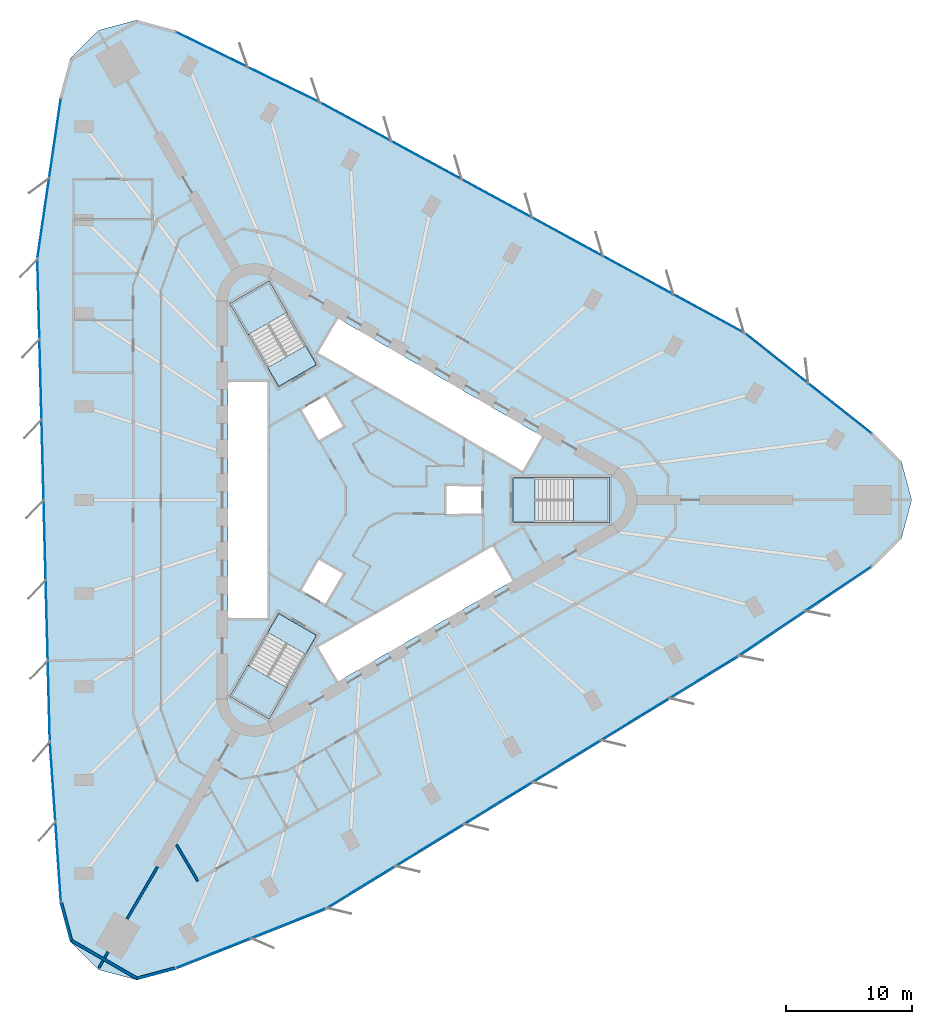
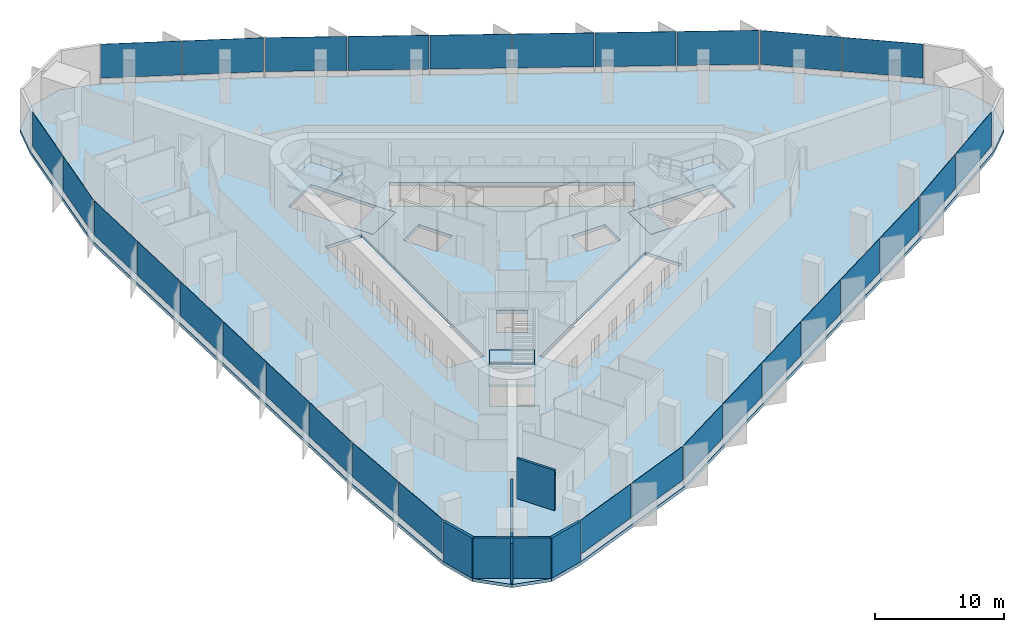
# One storey, part 7 of 14: 30 plates, 7 slabs, 7 walls, 12 elements without a shape of their own.
"""IFC4 building model written with IfcOpenShell, lengths in metres."""

from ifc_helpers import new_model, si_unit, direction, frame, frame_2d, origin, origin_2d, place, context, subcontext, project, spatial, polyline, rectangle, outline, extrude, material, layer, layer_set, type_object, element, aggregate, save


model = new_model("IFC4")

# Units and contexts
model_context = context("Model", 3, precision=1e-05, world=origin(), true_north=direction((0.0, 1.0)))
body_context = subcontext(model_context, "Body", "Model", "MODEL_VIEW")
ifc_project = project(units=[si_unit("LENGTHUNIT", "METRE"), si_unit("AREAUNIT", "SQUARE_METRE"), si_unit("VOLUMEUNIT", "CUBIC_METRE"), si_unit("PLANEANGLEUNIT", "RADIAN"), si_unit("MASSUNIT", "GRAM", prefix="KILO")], contexts=[model_context])

# Site, building, storey
site_placement = place(None, origin())
site = spatial("IfcSite", under=ifc_project, at=site_placement, CompositionType="ELEMENT")
building_placement = place(site_placement, origin())
building = spatial("IfcBuilding", under=site, at=building_placement, Name="Tanit Gate Tower", CompositionType="ELEMENT")
storey_placement = place(building_placement, frame((0.0, 0.0, 148.0)))
storey = spatial("IfcBuildingStorey", under=building, at=storey_placement, Name="L32", CompositionType="ELEMENT", Elevation=148.0)

# Slab
ifc_material_1 = material(Name="Concrete C35/45", Category="concrete")
ifc_layer_1 = layer(ifc_material_1, 0.300048828125)
ifc_layer_set_1 = layer_set([ifc_layer_1], Name="FLOOR SLAB 300 C35/45")
slab_type_1 = type_object("IfcSlabType", Name="FLOOR SLAB 300 C35/45", PredefinedType="FLOOR", material=ifc_layer_set_1)
slab_1_placement = place(storey_placement, frame((0.0, 0.0, -0.300048828125)))
element("IfcSlab", 1, at=slab_1_placement, inside=storey, type_object=slab_type_1, Name="FLOOR SLAB L32", PredefinedType="FLOOR", context=body_context, shape_type="SweptSolid", body=[
    extrude(outline(polyline([(39.86279296875, 5.312744140625), (42.1083984375, 3.0673828125), (42.93017578125, 0.0), (42.1083984375, -3.0673828125), (39.86279296875, -5.312744140625), (29.263916015625, -12.447509765625), (-3.356201171875, -32.425537109375), (-15.330322265625, -37.1787109375), (-18.397705078125, -38.00048828125), (-21.465087890625, -37.1787109375), (-23.71044921875, -34.93310546875), (-24.532470703125, -31.86572265625), (-25.41162109375, -19.119384765625), (-26.4033203125, 19.119384765625), (-24.532470703125, 31.86572265625), (-23.71044921875, 34.93310546875), (-21.465087890625, 37.1787109375), (-18.397705078125, 38.00048828125), (-15.330322265625, 37.1787109375), (-3.85205078125, 31.56689453125), (29.759521484375, 13.30615234375), (39.86279296875, 5.312744140625)]), holes=[polyline([(11.3701171875, 1.72998046875), (18.929931640625, 1.72998046875), (18.929931640625, -1.72998046875), (11.3701171875, -1.72998046875), (11.3701171875, 1.72998046875)]), polyline([(-4.208984375, 11.60986328125), (-2.583984375, 14.424560546875), (13.783935546875, 4.974609375), (12.158935546875, 2.159912109375), (-4.208984375, 11.60986328125)]), polyline([(-4.208984375, -11.60986328125), (9.82080078125, -3.510009765625), (11.44580078125, -6.324462890625), (-2.583984375, -14.424560546875), (-4.208984375, -11.60986328125)]), polyline([(9.0, 1.199951171875), (9.0, -1.199951171875), (6.0, -1.199951171875), (6.0, 1.199951171875), (9.0, 1.199951171875)]), polyline([(-5.539306640625, 7.194091796875), (-3.460693359375, 8.394287109375), (-1.960693359375, 5.796142578125), (-4.039306640625, 4.59619140625), (-5.539306640625, 7.194091796875)]), polyline([(-1.960693359375, -5.796142578125), (-3.460693359375, -8.394287109375), (-5.539306640625, -7.194091796875), (-4.039306640625, -4.59619140625), (-1.960693359375, -5.796142578125)]), polyline([(-10.963134765625, 15.52880859375), (-7.966796875, 17.2587890625), (-4.186767578125, 10.711669921875), (-7.18310546875, 8.981689453125), (-10.963134765625, 15.52880859375)]), polyline([(-4.186767578125, -10.711669921875), (-7.966796875, -17.2587890625), (-10.963134765625, -15.52880859375), (-7.18310546875, -8.981689453125), (-4.186767578125, -10.711669921875)]), polyline([(-11.199951171875, -9.449951171875), (-11.199951171875, 9.449951171875), (-7.949951171875, 9.449951171875), (-7.949951171875, -9.449951171875), (-11.199951171875, -9.449951171875)])]), origin(), (0.0, 0.0, 1.0), 0.300048828125),
])

# Curtain wall, plates
ifc_material_2 = material(Name="Aluminium bronze anodised and glass", Category="aluminium")
curtain_wall_type = type_object("IfcCurtainWallType", Name="Curtain wall typical low", PredefinedType="NOTDEFINED", material=ifc_material_2)
curtain_wall_1_placement = place(storey_placement, origin())
curtain_wall_1 = element("IfcCurtainWall", 2, at=curtain_wall_1_placement, inside=storey, type_object=curtain_wall_type, Name="Curtain wall L32 NE1", PredefinedType="NOTDEFINED")
ifc_material_3 = material(Name="Glass tinted", Category="glass")
ifc_layer_2 = layer(ifc_material_3, 0.031982421875)
ifc_layer_set_2 = layer_set([ifc_layer_2], Name="Glass panel 32 typical low")
plate_type = type_object("IfcPlateType", Name="Glass panel 32 typical low", PredefinedType="CURTAIN_PANEL", material=ifc_layer_set_2)
plate_1_placement = place(storey_placement, frame((37.244873046875, 7.231201171875, 0.60009765625), z_axis=(0.0, 0.0, 1.0), x_axis=(-0.784236570072, 0.620461926441, 0.0)))
plate_1 = element("IfcPlate", 3, at=plate_1_placement, type_object=plate_type, Name="Glass panel L32 NE1.1", PredefinedType="CURTAIN_PANEL", context=body_context, shape_type="SweptSolid", body=[
    extrude(rectangle(XDim=6.312744140625, YDim=0.031982421875, at=origin_2d()), origin(), (0.0, 0.0, 1.0), 3.199951171875),
])
plate_2_placement = place(storey_placement, frame((32.231201171875, 11.197509765625, 0.60009765625), z_axis=(0.0, 0.0, 1.0), x_axis=(-0.784236570072, 0.620461926441, 0.0)))
plate_2 = element("IfcPlate", 4, at=plate_2_placement, type_object=plate_type, Name="Glass panel L32 NE1.2", PredefinedType="CURTAIN_PANEL", context=body_context, shape_type="SweptSolid", body=[
    extrude(rectangle(XDim=6.312744140625, YDim=0.031982421875, at=origin_2d()), origin(), (0.0, 0.0, 1.0), 3.199951171875),
])
aggregate(curtain_wall_1, [plate_1, plate_2])

curtain_wall_2_placement = place(storey_placement, origin())
curtain_wall_2 = element("IfcCurtainWall", 5, at=curtain_wall_2_placement, inside=storey, type_object=curtain_wall_type, Name="Curtain wall L32 NE2", PredefinedType="NOTDEFINED")
plate_3_placement = place(storey_placement, frame((26.864013671875, 14.74267578125, 0.60009765625), z_axis=(0.0, 0.0, 1.0), x_axis=(-0.87869633876, 0.477381131015, 0.0)))
plate_3 = element("IfcPlate", 6, at=plate_3_placement, type_object=plate_type, Name="Glass panel L32 NE2.1", PredefinedType="CURTAIN_PANEL", context=body_context, shape_type="SweptSolid", body=[
    extrude(rectangle(XDim=6.27978515625, YDim=0.031982421875, at=origin_2d()), origin(), (0.0, 0.0, 1.0), 3.199951171875),
])
plate_4_placement = place(storey_placement, frame((21.275634765625, 17.77880859375, 0.60009765625), z_axis=(0.0, 0.0, 1.0), x_axis=(-0.87869633876, 0.477381131015, 0.0)))
plate_4 = element("IfcPlate", 7, at=plate_4_placement, type_object=plate_type, Name="Glass panel L32 NE2.2", PredefinedType="CURTAIN_PANEL", context=body_context, shape_type="SweptSolid", body=[
    extrude(rectangle(XDim=6.27978515625, YDim=0.031982421875, at=origin_2d()), origin(), (0.0, 0.0, 1.0), 3.199951171875),
])
plate_5_placement = place(storey_placement, frame((15.687255859375, 20.81494140625, 0.60009765625), z_axis=(0.0, 0.0, 1.0), x_axis=(-0.87869633876, 0.477381131015, 0.0)))
plate_5 = element("IfcPlate", 8, at=plate_5_placement, type_object=plate_type, Name="Glass panel L32 NE2.3", PredefinedType="CURTAIN_PANEL", context=body_context, shape_type="SweptSolid", body=[
    extrude(rectangle(XDim=6.27978515625, YDim=0.031982421875, at=origin_2d()), origin(), (0.0, 0.0, 1.0), 3.199951171875),
])
plate_6_placement = place(storey_placement, frame((10.098876953125, 23.850830078125, 0.60009765625), z_axis=(0.0, 0.0, 1.0), x_axis=(-0.87869633876, 0.477381131015, 0.0)))
plate_6 = element("IfcPlate", 9, at=plate_6_placement, type_object=plate_type, Name="Glass panel L32 NE2.4", PredefinedType="CURTAIN_PANEL", context=body_context, shape_type="SweptSolid", body=[
    extrude(rectangle(XDim=6.27978515625, YDim=0.031982421875, at=origin_2d()), origin(), (0.0, 0.0, 1.0), 3.199951171875),
])
plate_7_placement = place(storey_placement, frame((4.510498046875, 26.886962890625, 0.60009765625), z_axis=(0.0, 0.0, 1.0), x_axis=(-0.87869633876, 0.477381131015, 0.0)))
plate_7 = element("IfcPlate", 10, at=plate_7_placement, type_object=plate_type, Name="Glass panel L32 NE2.5", PredefinedType="CURTAIN_PANEL", context=body_context, shape_type="SweptSolid", body=[
    extrude(rectangle(XDim=6.27978515625, YDim=0.031982421875, at=origin_2d()), origin(), (0.0, 0.0, 1.0), 3.199951171875),
])
plate_8_placement = place(storey_placement, frame((-1.077880859375, 29.923095703125, 0.60009765625), z_axis=(0.0, 0.0, 1.0), x_axis=(-0.87869633876, 0.477381131015, 0.0)))
plate_8 = element("IfcPlate", 11, at=plate_8_placement, type_object=plate_type, Name="Glass panel L32 NE2.6", PredefinedType="CURTAIN_PANEL", context=body_context, shape_type="SweptSolid", body=[
    extrude(rectangle(XDim=6.27978515625, YDim=0.031982421875, at=origin_2d()), origin(), (0.0, 0.0, 1.0), 3.199951171875),
])
aggregate(curtain_wall_2, [plate_3, plate_4, plate_5, plate_6, plate_7, plate_8])

curtain_wall_3_placement = place(storey_placement, origin())
curtain_wall_3 = element("IfcCurtainWall", 12, at=curtain_wall_3_placement, inside=storey, type_object=curtain_wall_type, Name="Curtain wall L32 NE3", PredefinedType="NOTDEFINED")
plate_9_placement = place(storey_placement, frame((-6.79150390625, 32.870361328125, 0.60009765625), z_axis=(0.0, 0.0, 1.0), x_axis=(-0.898378505886, 0.439222108006, 0.0)))
plate_9 = element("IfcPlate", 13, at=plate_9_placement, type_object=plate_type, Name="Glass panel L32 NE3.1", PredefinedType="CURTAIN_PANEL", context=body_context, shape_type="SweptSolid", body=[
    extrude(rectangle(XDim=6.26123046875, YDim=0.031982421875, at=origin_2d()), origin(), (0.0, 0.0, 1.0), 3.199951171875),
])
plate_10_placement = place(storey_placement, frame((-12.48828125, 35.655517578125, 0.60009765625), z_axis=(0.0, 0.0, 1.0), x_axis=(-0.898378505886, 0.439222108006, 0.0)))
plate_10 = element("IfcPlate", 14, at=plate_10_placement, type_object=plate_type, Name="Glass panel L32 NE3.2", PredefinedType="CURTAIN_PANEL", context=body_context, shape_type="SweptSolid", body=[
    extrude(rectangle(XDim=6.26123046875, YDim=0.031982421875, at=origin_2d()), origin(), (0.0, 0.0, 1.0), 3.199951171875),
])
aggregate(curtain_wall_3, [plate_9, plate_10])

curtain_wall_4_placement = place(storey_placement, origin())
curtain_wall_4 = element("IfcCurtainWall", 15, at=curtain_wall_4_placement, inside=storey, type_object=curtain_wall_type, Name="Curtain wall L32 W1", PredefinedType="NOTDEFINED")
plate_11_placement = place(storey_placement, frame((-24.884765625, 28.639404296875, 0.60009765625), z_axis=(0.0, 0.0, 1.0), x_axis=(-0.145217505343, -0.989399755479, 0.0)))
plate_11 = element("IfcPlate", 16, at=plate_11_placement, type_object=plate_type, Name="Glass panel L32 W1.1", PredefinedType="CURTAIN_PANEL", context=body_context, shape_type="SweptSolid", body=[
    extrude(rectangle(XDim=6.312744140625, YDim=0.031982421875, at=origin_2d()), origin(), (0.0, 0.0, 1.0), 3.199951171875),
])
plate_12_placement = place(storey_placement, frame((-25.81298828125, 22.314453125, 0.60009765625), z_axis=(0.0, 0.0, 1.0), x_axis=(-0.145217505343, -0.989399755479, 0.0)))
plate_12 = element("IfcPlate", 17, at=plate_12_placement, type_object=plate_type, Name="Glass panel L32 W1.2", PredefinedType="CURTAIN_PANEL", context=body_context, shape_type="SweptSolid", body=[
    extrude(rectangle(XDim=6.312744140625, YDim=0.031982421875, at=origin_2d()), origin(), (0.0, 0.0, 1.0), 3.199951171875),
])
aggregate(curtain_wall_4, [plate_11, plate_12])

curtain_wall_5_placement = place(storey_placement, origin())
curtain_wall_5 = element("IfcCurtainWall", 18, at=curtain_wall_5_placement, inside=storey, type_object=curtain_wall_type, Name="Curtain wall L32 W2", PredefinedType="NOTDEFINED")
plate_13_placement = place(storey_placement, frame((-26.199462890625, 15.8935546875, 0.60009765625), z_axis=(0.0, 0.0, 1.0), x_axis=(0.025923982634, -0.999663917086, 0.0)))
plate_13 = element("IfcPlate", 19, at=plate_13_placement, type_object=plate_type, Name="Glass panel L32 W2.1", PredefinedType="CURTAIN_PANEL", context=body_context, shape_type="SweptSolid", body=[
    extrude(rectangle(XDim=6.27978515625, YDim=0.031982421875, at=origin_2d()), origin(), (0.0, 0.0, 1.0), 3.199951171875),
])
plate_14_placement = place(storey_placement, frame((-26.03466796875, 9.535888671875, 0.60009765625), z_axis=(0.0, 0.0, 1.0), x_axis=(0.025923982634, -0.999663917086, 0.0)))
plate_14 = element("IfcPlate", 20, at=plate_14_placement, type_object=plate_type, Name="Glass panel L32 W2.2", PredefinedType="CURTAIN_PANEL", context=body_context, shape_type="SweptSolid", body=[
    extrude(rectangle(XDim=6.27978515625, YDim=0.031982421875, at=origin_2d()), origin(), (0.0, 0.0, 1.0), 3.199951171875),
])
plate_15_placement = place(storey_placement, frame((-25.869873046875, 3.177978515625, 0.60009765625), z_axis=(0.0, 0.0, 1.0), x_axis=(0.025923982634, -0.999663917086, 0.0)))
plate_15 = element("IfcPlate", 21, at=plate_15_placement, type_object=plate_type, Name="Glass panel L32 W2.3", PredefinedType="CURTAIN_PANEL", context=body_context, shape_type="SweptSolid", body=[
    extrude(rectangle(XDim=6.27978515625, YDim=0.031982421875, at=origin_2d()), origin(), (0.0, 0.0, 1.0), 3.199951171875),
])
plate_16_placement = place(storey_placement, frame((-25.704833984375, -3.1796875, 0.60009765625), z_axis=(0.0, 0.0, 1.0), x_axis=(0.025923982634, -0.999663917086, 0.0)))
plate_16 = element("IfcPlate", 22, at=plate_16_placement, type_object=plate_type, Name="Glass panel L32 W2.4", PredefinedType="CURTAIN_PANEL", context=body_context, shape_type="SweptSolid", body=[
    extrude(rectangle(XDim=6.27978515625, YDim=0.031982421875, at=origin_2d()), origin(), (0.0, 0.0, 1.0), 3.199951171875),
])
plate_17_placement = place(storey_placement, frame((-25.5400390625, -9.537353515625, 0.60009765625), z_axis=(0.0, 0.0, 1.0), x_axis=(0.025923982634, -0.999663917086, 0.0)))
plate_17 = element("IfcPlate", 23, at=plate_17_placement, type_object=plate_type, Name="Glass panel L32 W2.5", PredefinedType="CURTAIN_PANEL", context=body_context, shape_type="SweptSolid", body=[
    extrude(rectangle(XDim=6.27978515625, YDim=0.031982421875, at=origin_2d()), origin(), (0.0, 0.0, 1.0), 3.199951171875),
])
plate_18_placement = place(storey_placement, frame((-25.375244140625, -15.89501953125, 0.60009765625), z_axis=(0.0, 0.0, 1.0), x_axis=(0.025923982634, -0.999663917086, 0.0)))
plate_18 = element("IfcPlate", 24, at=plate_18_placement, type_object=plate_type, Name="Glass panel L32 W2.6", PredefinedType="CURTAIN_PANEL", context=body_context, shape_type="SweptSolid", body=[
    extrude(rectangle(XDim=6.27978515625, YDim=0.031982421875, at=origin_2d()), origin(), (0.0, 0.0, 1.0), 3.199951171875),
])
aggregate(curtain_wall_5, [plate_13, plate_14, plate_15, plate_16, plate_17, plate_18])

curtain_wall_6_placement = place(storey_placement, origin())
curtain_wall_6 = element("IfcCurtainWall", 25, at=curtain_wall_6_placement, inside=storey, type_object=curtain_wall_type, Name="Curtain wall L32 W3", PredefinedType="NOTDEFINED")
plate_19_placement = place(storey_placement, frame((-25.07080078125, -22.31689453125, 0.60009765625), z_axis=(0.0, 0.0, 1.0), x_axis=(0.068811749506, -0.997629662315, 0.0)))
plate_19 = element("IfcPlate", 26, at=plate_19_placement, type_object=plate_type, Name="Glass panel L32 W3.1", PredefinedType="CURTAIN_PANEL", context=body_context, shape_type="SweptSolid", body=[
    extrude(rectangle(XDim=6.26123046875, YDim=0.031982421875, at=origin_2d()), origin(), (0.0, 0.0, 1.0), 3.199951171875),
])
plate_20_placement = place(storey_placement, frame((-24.634521484375, -28.64306640625, 0.60009765625), z_axis=(0.0, 0.0, 1.0), x_axis=(0.068811749506, -0.997629662315, 0.0)))
plate_20 = element("IfcPlate", 27, at=plate_20_placement, type_object=plate_type, Name="Glass panel L32 W3.2", PredefinedType="CURTAIN_PANEL", context=body_context, shape_type="SweptSolid", body=[
    extrude(rectangle(XDim=6.26123046875, YDim=0.031982421875, at=origin_2d()), origin(), (0.0, 0.0, 1.0), 3.199951171875),
])
aggregate(curtain_wall_6, [plate_19, plate_20])

curtain_wall_7_placement = place(storey_placement, origin())
curtain_wall_7 = element("IfcCurtainWall", 28, at=curtain_wall_7_placement, inside=storey, type_object=curtain_wall_type, Name="Curtain wall L32 SE1", PredefinedType="NOTDEFINED")
plate_21_placement = place(storey_placement, frame((-12.360107421875, -35.870361328125, 0.60009765625), z_axis=(0.0, 0.0, 1.0), x_axis=(0.929454075414, 0.368937829038, 0.0)))
plate_21 = element("IfcPlate", 29, at=plate_21_placement, type_object=plate_type, Name="Glass panel L32 SE1.1", PredefinedType="CURTAIN_PANEL", context=body_context, shape_type="SweptSolid", body=[
    extrude(rectangle(XDim=6.312744140625, YDim=0.031982421875, at=origin_2d()), origin(), (0.0, 0.0, 1.0), 3.199951171875),
])
plate_22_placement = place(storey_placement, frame((-6.418212890625, -33.511962890625, 0.60009765625), z_axis=(0.0, 0.0, 1.0), x_axis=(0.929454075414, 0.368937829038, 0.0)))
plate_22 = element("IfcPlate", 30, at=plate_22_placement, type_object=plate_type, Name="Glass panel L32 SE1.2", PredefinedType="CURTAIN_PANEL", context=body_context, shape_type="SweptSolid", body=[
    extrude(rectangle(XDim=6.312744140625, YDim=0.031982421875, at=origin_2d()), origin(), (0.0, 0.0, 1.0), 3.199951171875),
])
aggregate(curtain_wall_7, [plate_21, plate_22])

curtain_wall_8_placement = place(storey_placement, origin())
curtain_wall_8 = element("IfcCurtainWall", 31, at=curtain_wall_8_placement, inside=storey, type_object=curtain_wall_type, Name="Curtain wall L32 SE2", PredefinedType="NOTDEFINED")
plate_23_placement = place(storey_placement, frame((-0.664306640625, -30.63623046875, 0.60009765625), z_axis=(0.0, 0.0, 1.0), x_axis=(0.852772356127, 0.522282786071, 0.0)))
plate_23 = element("IfcPlate", 32, at=plate_23_placement, type_object=plate_type, Name="Glass panel L32 SE2.1", PredefinedType="CURTAIN_PANEL", context=body_context, shape_type="SweptSolid", body=[
    extrude(rectangle(XDim=6.27978515625, YDim=0.031982421875, at=origin_2d()), origin(), (0.0, 0.0, 1.0), 3.199951171875),
])
plate_24_placement = place(storey_placement, frame((4.759033203125, -27.314697265625, 0.60009765625), z_axis=(0.0, 0.0, 1.0), x_axis=(0.852772356127, 0.522282786071, 0.0)))
plate_24 = element("IfcPlate", 33, at=plate_24_placement, type_object=plate_type, Name="Glass panel L32 SE2.2", PredefinedType="CURTAIN_PANEL", context=body_context, shape_type="SweptSolid", body=[
    extrude(rectangle(XDim=6.27978515625, YDim=0.031982421875, at=origin_2d()), origin(), (0.0, 0.0, 1.0), 3.199951171875),
])
plate_25_placement = place(storey_placement, frame((10.1826171875, -23.992919921875, 0.60009765625), z_axis=(0.0, 0.0, 1.0), x_axis=(0.852772356127, 0.522282786071, 0.0)))
plate_25 = element("IfcPlate", 34, at=plate_25_placement, type_object=plate_type, Name="Glass panel L32 SE2.3", PredefinedType="CURTAIN_PANEL", context=body_context, shape_type="SweptSolid", body=[
    extrude(rectangle(XDim=6.27978515625, YDim=0.031982421875, at=origin_2d()), origin(), (0.0, 0.0, 1.0), 3.199951171875),
])
plate_26_placement = place(storey_placement, frame((15.606201171875, -20.67138671875, 0.60009765625), z_axis=(0.0, 0.0, 1.0), x_axis=(0.852772356127, 0.522282786071, 0.0)))
plate_26 = element("IfcPlate", 35, at=plate_26_placement, type_object=plate_type, Name="Glass panel L32 SE2.4", PredefinedType="CURTAIN_PANEL", context=body_context, shape_type="SweptSolid", body=[
    extrude(rectangle(XDim=6.27978515625, YDim=0.031982421875, at=origin_2d()), origin(), (0.0, 0.0, 1.0), 3.199951171875),
])
plate_27_placement = place(storey_placement, frame((21.029541015625, -17.349609375, 0.60009765625), z_axis=(0.0, 0.0, 1.0), x_axis=(0.852772356127, 0.522282786071, 0.0)))
plate_27 = element("IfcPlate", 36, at=plate_27_placement, type_object=plate_type, Name="Glass panel L32 SE2.5", PredefinedType="CURTAIN_PANEL", context=body_context, shape_type="SweptSolid", body=[
    extrude(rectangle(XDim=6.27978515625, YDim=0.031982421875, at=origin_2d()), origin(), (0.0, 0.0, 1.0), 3.199951171875),
])
plate_28_placement = place(storey_placement, frame((26.453125, -14.028076171875, 0.60009765625), z_axis=(0.0, 0.0, 1.0), x_axis=(0.852772356127, 0.522282786071, 0.0)))
plate_28 = element("IfcPlate", 37, at=plate_28_placement, type_object=plate_type, Name="Glass panel L32 SE2.6", PredefinedType="CURTAIN_PANEL", context=body_context, shape_type="SweptSolid", body=[
    extrude(rectangle(XDim=6.27978515625, YDim=0.031982421875, at=origin_2d()), origin(), (0.0, 0.0, 1.0), 3.199951171875),
])
aggregate(curtain_wall_8, [plate_23, plate_24, plate_25, plate_26, plate_27, plate_28])

curtain_wall_9_placement = place(storey_placement, origin())
curtain_wall_9 = element("IfcCurtainWall", 38, at=curtain_wall_9_placement, inside=storey, type_object=curtain_wall_type, Name="Curtain wall L32 SE3", PredefinedType="NOTDEFINED")
plate_29_placement = place(storey_placement, frame((31.8623046875, -10.553466796875, 0.60009765625), z_axis=(0.0, 0.0, 1.0), x_axis=(0.82956675638, 0.558407554309, 0.0)))
plate_29 = element("IfcPlate", 39, at=plate_29_placement, type_object=plate_type, Name="Glass panel L32 SE3.1", PredefinedType="CURTAIN_PANEL", context=body_context, shape_type="SweptSolid", body=[
    extrude(rectangle(XDim=6.26123046875, YDim=0.031982421875, at=origin_2d()), origin(), (0.0, 0.0, 1.0), 3.199951171875),
])
plate_30_placement = place(storey_placement, frame((37.122802734375, -7.0126953125, 0.60009765625), z_axis=(0.0, 0.0, 1.0), x_axis=(0.82956675638, 0.558407554309, 0.0)))
plate_30 = element("IfcPlate", 40, at=plate_30_placement, type_object=plate_type, Name="Glass panel L32 SE3.2", PredefinedType="CURTAIN_PANEL", context=body_context, shape_type="SweptSolid", body=[
    extrude(rectangle(XDim=6.26123046875, YDim=0.031982421875, at=origin_2d()), origin(), (0.0, 0.0, 1.0), 3.199951171875),
])
aggregate(curtain_wall_9, [plate_29, plate_30])

# Stair, slab
ifc_material_4 = material(Name="Concrete C40/50", Category="concrete")
stair_type = type_object("IfcStairType", Name="INT-STAIR-EXIT", PredefinedType="HALF_TURN_STAIR", material=ifc_material_4)
stair_1_placement = place(storey_placement, origin())
stair_1 = element("IfcStair", 41, at=stair_1_placement, inside=storey, type_object=stair_type, Name="L32 STAIR S1", PredefinedType="HALF_TURN_STAIR")
ifc_material_5 = material(Name="Concrete C40/50", Category="concrete")
ifc_layer_3 = layer(ifc_material_5, 0.199951171875)
ifc_layer_set_3 = layer_set([ifc_layer_3], Name="INT-STAIR-LANDING")
slab_type_2 = type_object("IfcSlabType", Name="INT-STAIR-LANDING", PredefinedType="LANDING", material=ifc_layer_set_3)
slab_2_placement = place(storey_placement, frame((0.0, 0.0, 1.85009765625)))
slab_2 = element("IfcSlab", 42, at=slab_2_placement, type_object=slab_type_2, Name="S1 landing 1", PredefinedType="LANDING", context=body_context, shape_type="SweptSolid", body=[
    extrude(outline(polyline([(16.135986328125, -1.800048828125), (19.0, -1.800048828125), (19.0, 1.800048828125), (16.135986328125, 1.800048828125), (16.135986328125, -1.800048828125)])), origin(), (0.0, 0.0, 1.0), 0.199951171875),
])
aggregate(stair_1, [slab_2])

# Slab
slab_3_placement = place(storey_placement, frame((0.0, 0.0, -0.199951171875)))
element("IfcSlab", 43, at=slab_3_placement, inside=storey, type_object=slab_type_2, Name="S1 floor landing", PredefinedType="LANDING", context=body_context, shape_type="SweptSolid", body=[
    extrude(outline(polyline([(11.3798828125, -1.719970703125), (13.10498046875, -1.719970703125), (13.10498046875, 1.719970703125), (11.3798828125, 1.719970703125), (11.3798828125, -1.719970703125)])), origin(), (0.0, 0.0, 1.0), 0.199951171875),
])

# Stair, slab
stair_2_placement = place(storey_placement, origin())
stair_2 = element("IfcStair", 44, at=stair_2_placement, inside=storey, type_object=stair_type, Name="L32 STAIR S2", PredefinedType="HALF_TURN_STAIR")
slab_4_placement = place(storey_placement, frame((0.0, 0.0, 1.85009765625)))
slab_4 = element("IfcSlab", 45, at=slab_4_placement, type_object=slab_type_2, Name="S2 landing 1", PredefinedType="LANDING", context=body_context, shape_type="SweptSolid", body=[
    extrude(outline(polyline([(-6.5078125, 14.871826171875), (-7.941162109375, 17.3544921875), (-11.058837890625, 15.554443359375), (-9.62548828125, 13.07177734375), (-6.5078125, 14.871826171875)])), origin(), (0.0, 0.0, 1.0), 0.199951171875),
])
aggregate(stair_2, [slab_4])

# Slab
slab_5_placement = place(storey_placement, frame((0.0, 0.0, -0.199951171875)))
element("IfcSlab", 46, at=slab_5_placement, inside=storey, type_object=slab_type_2, Name="S2 floor landing", PredefinedType="LANDING", context=body_context, shape_type="SweptSolid", body=[
    extrude(outline(polyline([(-4.200439453125, 10.71533203125), (-5.0625, 12.20849609375), (-8.04150390625, 10.48828125), (-7.179443359375, 8.995361328125), (-4.200439453125, 10.71533203125)])), origin(), (0.0, 0.0, 1.0), 0.199951171875),
])

# Stair, slab
stair_3_placement = place(storey_placement, origin())
stair_3 = element("IfcStair", 47, at=stair_3_placement, inside=storey, type_object=stair_type, Name="L32 STAIR S3", PredefinedType="HALF_TURN_STAIR")
slab_6_placement = place(storey_placement, frame((0.0, 0.0, 1.85009765625)))
slab_6 = element("IfcSlab", 48, at=slab_6_placement, type_object=slab_type_2, Name="S3 landing 1", PredefinedType="LANDING", context=body_context, shape_type="SweptSolid", body=[
    extrude(outline(polyline([(-9.626953125, -13.07421875), (-11.058837890625, -15.554443359375), (-7.941162109375, -17.3544921875), (-6.509033203125, -14.874267578125), (-9.626953125, -13.07421875)])), origin(), (0.0, 0.0, 1.0), 0.199951171875),
])
aggregate(stair_3, [slab_6])

# Slab
slab_7_placement = place(storey_placement, frame((0.0, 0.0, -0.199951171875)))
element("IfcSlab", 49, at=slab_7_placement, inside=storey, type_object=slab_type_2, Name="S3 floor landing", PredefinedType="LANDING", context=body_context, shape_type="SweptSolid", body=[
    extrude(outline(polyline([(-7.179443359375, -8.995361328125), (-8.0419921875, -10.4892578125), (-5.06298828125, -12.209228515625), (-4.200439453125, -10.71533203125), (-7.179443359375, -8.995361328125)])), origin(), (0.0, 0.0, 1.0), 0.199951171875),
])

# Walls
ifc_material_6 = material(Name="Concrete C30/37 with bronze anodised aluminium cladding", Category="concrete")
ifc_layer_4 = layer(ifc_material_6, 0.239990234375)
ifc_layer_set_4 = layer_set([ifc_layer_4], Name="Facade wall bronze clad 240")
wall_type_1 = type_object("IfcWallType", Name="Facade wall bronze clad 240", PredefinedType="SOLIDWALL", material=ifc_layer_set_4)
wall_1_placement = place(storey_placement, frame((-24.41357421875, -31.845947265625, 0.0), z_axis=(0.0, 0.0, 1.0), x_axis=(0.258807521156, -0.965928914048, 0.0)))
element("IfcWall", 50, at=wall_1_placement, inside=storey, type_object=wall_type_1, Name="Bronze-clad facade wall L32 SW.arc1", PredefinedType="SOLIDWALL", context=body_context, shape_type="SweptSolid", body=[
    extrude(rectangle(XDim=3.1318359375, YDim=0.239990234375, at=frame_2d((1.56591796875, 0.0))), origin(), (0.0, 0.0, 1.0), 3.800048828125),
])
wall_2_placement = place(storey_placement, frame((-23.60302734375, -34.87109375, 0.0), z_axis=(0.0, 0.0, 1.0), x_axis=(0.866037453254, -0.499979129126, 0.0)))
element("IfcWall", 51, at=wall_2_placement, inside=storey, type_object=wall_type_1, Name="Bronze-clad facade wall L32 SW.arc2", PredefinedType="SOLIDWALL", context=body_context, shape_type="SweptSolid", body=[
    extrude(rectangle(XDim=6.010498046875, YDim=0.239990234375, at=frame_2d((3.00537109375, 0.0))), origin(), (0.0, 0.0, 1.0), 3.800048828125),
])
wall_3_placement = place(storey_placement, frame((-18.397705078125, -37.876220703125, 0.0), z_axis=(0.0, 0.0, 1.0), x_axis=(0.965925466837, 0.258820386593, 0.0)))
element("IfcWall", 52, at=wall_3_placement, inside=storey, type_object=wall_type_1, Name="Bronze-clad facade wall L32 SW.arc3", PredefinedType="SOLIDWALL", context=body_context, shape_type="SweptSolid", body=[
    extrude(rectangle(XDim=3.136474609375, YDim=0.239990234375, at=frame_2d((1.568359375, 0.0))), origin(), (0.0, 0.0, 1.0), 3.800048828125),
])
ifc_material_7 = material(Name="Fire-rated gypsum board partition")
ifc_layer_5 = layer(ifc_material_7, 0.199951171875)
ifc_layer_set_5 = layer_set([ifc_layer_5], Name="INT-WALL-COMPARTMENT")
wall_type_2 = type_object("IfcWallType", Name="INT-WALL-COMPARTMENT", PredefinedType="PARTITIONING", material=ifc_layer_set_5)
wall_4_placement = place(storey_placement, frame((-20.691162109375, -35.778076171875, 0.0), z_axis=(0.0, 0.0, 1.0), x_axis=(-0.500004084281, -0.866023045711, 0.0)))
element("IfcWall", 53, at=wall_4_placement, inside=storey, type_object=wall_type_2, Name="Wall Compartment W116", PredefinedType="PARTITIONING", context=body_context, shape_type="SweptSolid", body=[
    extrude(rectangle(XDim=0.55029296875, YDim=0.199951171875, at=frame_2d((0.275146484375, 0.0))), origin(), (0.0, 0.0, 1.0), 3.800048828125),
])
wall_5_placement = place(storey_placement, frame((-21.08642578125, -36.462646484375, 0.0), z_axis=(0.0, 0.0, 1.0), x_axis=(-0.499784885981, -0.866149564305, 0.0)))
element("IfcWall", 54, at=wall_5_placement, inside=storey, type_object=wall_type_2, Name="Wall Compartment W116x1", PredefinedType="PARTITIONING", context=body_context, shape_type="SweptSolid", body=[
    extrude(rectangle(XDim=0.677001953125, YDim=0.199951171875, at=frame_2d((0.33837890625, 0.0))), origin(), (0.0, 0.0, 1.0), 3.800048828125),
])
wall_6_placement = place(storey_placement, frame((-16.77587890625, -29.035888671875, 0.0), z_axis=(0.0, 0.0, 1.0), x_axis=(-0.503548187655, -0.863967142147, 0.0)))
element("IfcWall", 55, at=wall_6_placement, inside=storey, type_object=wall_type_2, Name="Wall Compartment W117", PredefinedType="PARTITIONING", context=body_context, shape_type="SweptSolid", body=[
    extrude(rectangle(XDim=4.796630859375, YDim=0.199951171875, at=frame_2d((2.3984375, 0.0))), origin(), (0.0, 0.0, 1.0), 3.3701171875),
])
wall_7_placement = place(storey_placement, frame((-15.2861328125, -27.2763671875, 0.0), z_axis=(0.0, 0.0, 1.0), x_axis=(0.506988383663, -0.861952886666, 0.0)))
element("IfcWall", 56, at=wall_7_placement, inside=storey, type_object=wall_type_2, Name="Wall Compartment W135", PredefinedType="PARTITIONING", context=body_context, shape_type="SweptSolid", body=[
    extrude(rectangle(XDim=3.361328125, YDim=0.199951171875, at=frame_2d((1.6806640625, 0.0))), origin(), (0.0, 0.0, 1.0), 3.800048828125),
])

save(model, "model.ifc")
